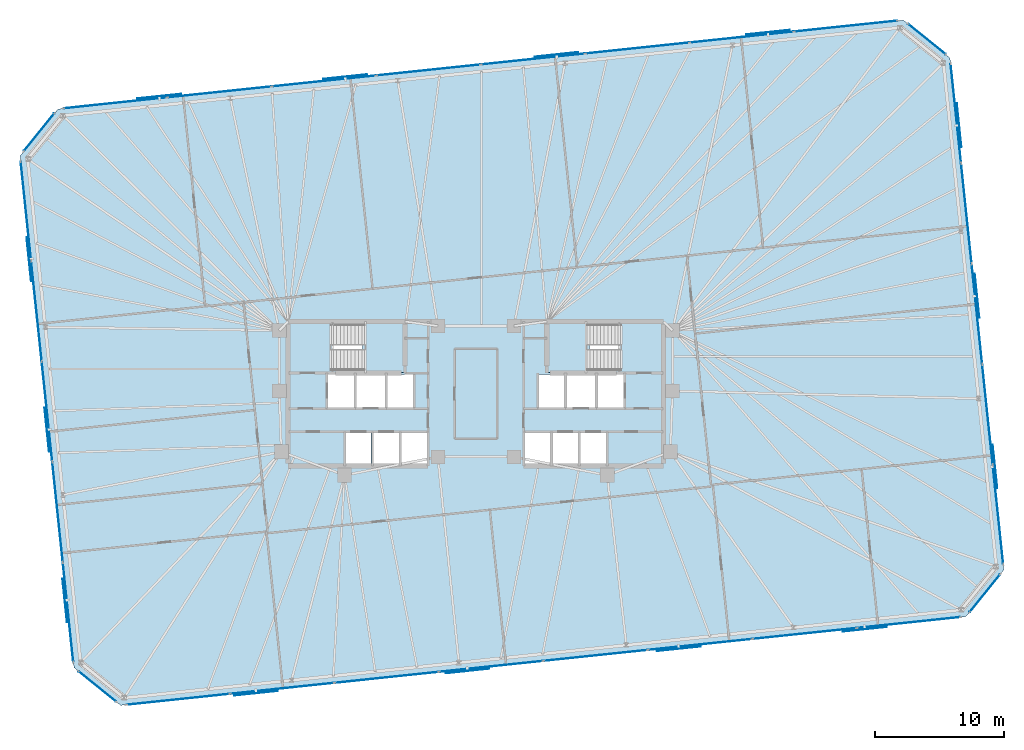
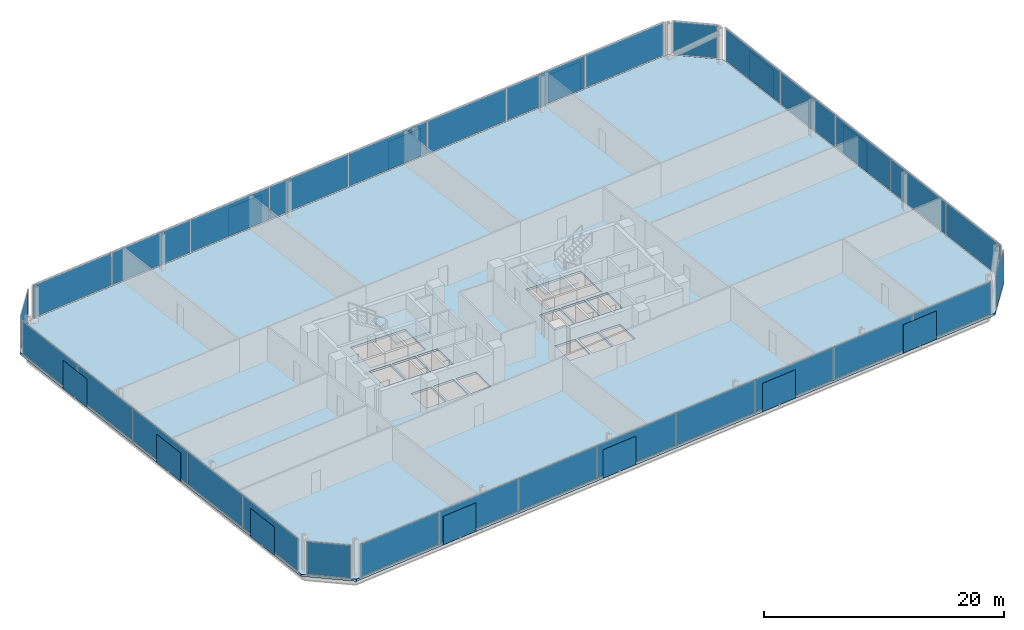
# One storey, part 13 of 18: 44 plates, 3 slabs, 10 elements without a shape of their own.
"""IFC4 building model written with IfcOpenShell, lengths in metres."""

from ifc_helpers import new_model, si_unit, direction, frame, origin, origin_2d, place, context, subcontext, project, spatial, polyline, rectangle, outline, extrude, material, layer, layer_set, type_object, element, aggregate, save


model = new_model("IFC4")

# Units and contexts
model_context = context("Model", 3, precision=1e-05, world=origin(), true_north=direction((0.0, 1.0)))
body_context = subcontext(model_context, "Body", "Model", "MODEL_VIEW")
ifc_project = project(units=[si_unit("LENGTHUNIT", "METRE"), si_unit("AREAUNIT", "SQUARE_METRE"), si_unit("VOLUMEUNIT", "CUBIC_METRE"), si_unit("PLANEANGLEUNIT", "RADIAN"), si_unit("MASSUNIT", "GRAM", prefix="KILO")], contexts=[model_context])

# Site, building, storey
site_placement = place(None, origin())
site = spatial("IfcSite", under=ifc_project, at=site_placement, CompositionType="ELEMENT")
building_placement = place(site_placement, origin())
building = spatial("IfcBuilding", under=site, at=building_placement, Name="Menara Jurai Vektor", CompositionType="ELEMENT")
storey_placement = place(building_placement, frame((0.0, 0.0, 94.800048828125)))
storey = spatial("IfcBuildingStorey", under=building, at=storey_placement, Name="L23", CompositionType="ELEMENT", Elevation=94.800048828125)

# Curtain wall, plates
ifc_material_1 = material(Name="Anodised Pale Aluminium & Low-E Double Glazing", Category="aluminium")
curtain_wall_type = type_object("IfcCurtainWallType", Name="CW-BLK2", PredefinedType="NOTDEFINED", material=ifc_material_1)
curtain_wall_1_placement = place(storey_placement, origin())
curtain_wall_1 = element("IfcCurtainWall", 1, at=curtain_wall_1_placement, inside=storey, type_object=curtain_wall_type, Name="Unitised Curtain Wall L23 F01", PredefinedType="NOTDEFINED")
ifc_material_2 = material(Name="Low-E Solar-Control Double Glazed Unit", Category="glass")
ifc_layer_1 = layer(ifc_material_2, 0.033935546875)
ifc_layer_set_1 = layer_set([ifc_layer_1], Name="Low-E Solar-Control Double Glazed Unit")
plate_type_1 = type_object("IfcPlateType", Name="CW-BLK2-PNL", PredefinedType="CURTAIN_PANEL", material=ifc_layer_set_1)
plate_1_placement = place(storey_placement, frame((-23.090087890625, -23.69921875, 0.090087890625), z_axis=(0.0, 0.0, 1.0), x_axis=(0.994521877325, 0.104528634935, 0.0)))
plate_1 = element("IfcPlate", 2, at=plate_1_placement, type_object=plate_type_1, Name="CW-02 panel 1.1", PredefinedType="CURTAIN_PANEL", context=body_context, shape_type="SweptSolid", body=[
    extrude(rectangle(XDim=8.007568359375, YDim=0.033935546875, at=origin_2d()), origin(), (0.0, 0.0, 1.0), 3.294921875),
])
plate_2_placement = place(storey_placement, frame((-15.014404296875, -22.850341796875, 0.090087890625), z_axis=(0.0, 0.0, 1.0), x_axis=(0.994521877325, 0.104528634935, 0.0)))
plate_2 = element("IfcPlate", 3, at=plate_2_placement, type_object=plate_type_1, Name="CW-02 panel 2.1", PredefinedType="CURTAIN_PANEL", context=body_context, shape_type="SweptSolid", body=[
    extrude(rectangle(XDim=8.052490234375, YDim=0.033935546875, at=origin_2d()), origin(), (0.0, 0.0, 1.0), 3.294921875),
])
plate_3_placement = place(storey_placement, frame((-6.91650390625, -21.999267578125, 0.090087890625), z_axis=(0.0, 0.0, 1.0), x_axis=(0.994521877325, 0.104528634935, 0.0)))
plate_3 = element("IfcPlate", 4, at=plate_3_placement, type_object=plate_type_1, Name="CW-02 panel 3.1", PredefinedType="CURTAIN_PANEL", context=body_context, shape_type="SweptSolid", body=[
    extrude(rectangle(XDim=8.052490234375, YDim=0.033935546875, at=origin_2d()), origin(), (0.0, 0.0, 1.0), 3.294921875),
])
plate_4_placement = place(storey_placement, frame((1.181396484375, -21.148193359375, 0.090087890625), z_axis=(0.0, 0.0, 1.0), x_axis=(0.994521877325, 0.104528634935, 0.0)))
plate_4 = element("IfcPlate", 5, at=plate_4_placement, type_object=plate_type_1, Name="CW-02 panel 4.1", PredefinedType="CURTAIN_PANEL", context=body_context, shape_type="SweptSolid", body=[
    extrude(rectangle(XDim=8.052490234375, YDim=0.033935546875, at=origin_2d()), origin(), (0.0, 0.0, 1.0), 3.294921875),
])
plate_5_placement = place(storey_placement, frame((9.279296875, -20.297119140625, 0.090087890625), z_axis=(0.0, 0.0, 1.0), x_axis=(0.994521877325, 0.104528634935, 0.0)))
plate_5 = element("IfcPlate", 6, at=plate_5_placement, type_object=plate_type_1, Name="CW-02 panel 5.1", PredefinedType="CURTAIN_PANEL", context=body_context, shape_type="SweptSolid", body=[
    extrude(rectangle(XDim=8.052490234375, YDim=0.033935546875, at=origin_2d()), origin(), (0.0, 0.0, 1.0), 3.294921875),
])
plate_6_placement = place(storey_placement, frame((17.377197265625, -19.44580078125, 0.090087890625), z_axis=(0.0, 0.0, 1.0), x_axis=(0.994521877325, 0.104528634935, 0.0)))
plate_6 = element("IfcPlate", 7, at=plate_6_placement, type_object=plate_type_1, Name="CW-02 panel 6.1", PredefinedType="CURTAIN_PANEL", context=body_context, shape_type="SweptSolid", body=[
    extrude(rectangle(XDim=8.052490234375, YDim=0.033935546875, at=origin_2d()), origin(), (0.0, 0.0, 1.0), 3.294921875),
])
plate_7_placement = place(storey_placement, frame((25.47509765625, -18.5947265625, 0.090087890625), z_axis=(0.0, 0.0, 1.0), x_axis=(0.994521877325, 0.104528634935, 0.0)))
plate_7 = element("IfcPlate", 8, at=plate_7_placement, type_object=plate_type_1, Name="CW-02 panel 7.1", PredefinedType="CURTAIN_PANEL", context=body_context, shape_type="SweptSolid", body=[
    extrude(rectangle(XDim=8.052490234375, YDim=0.033935546875, at=origin_2d()), origin(), (0.0, 0.0, 1.0), 3.294921875),
])
plate_8_placement = place(storey_placement, frame((33.550537109375, -17.74609375, 0.090087890625), z_axis=(0.0, 0.0, 1.0), x_axis=(0.994521877325, 0.104528634935, 0.0)))
plate_8 = element("IfcPlate", 9, at=plate_8_placement, type_object=plate_type_1, Name="CW-02 panel 8.1", PredefinedType="CURTAIN_PANEL", context=body_context, shape_type="SweptSolid", body=[
    extrude(rectangle(XDim=8.007568359375, YDim=0.033935546875, at=origin_2d()), origin(), (0.0, 0.0, 1.0), 3.294921875),
])
aggregate(curtain_wall_1, [plate_1, plate_2, plate_3, plate_4, plate_5, plate_6, plate_7, plate_8])

curtain_wall_2_placement = place(storey_placement, origin())
curtain_wall_2 = element("IfcCurtainWall", 10, at=curtain_wall_2_placement, inside=storey, type_object=curtain_wall_type, Name="Unitised Curtain Wall L23 F03", PredefinedType="NOTDEFINED")
plate_9_placement = place(storey_placement, frame((40.485595703125, -9.358642578125, 0.090087890625), z_axis=(0.0, 0.0, 1.0), x_axis=(-0.104529576902, 0.99452177832, 0.0)))
plate_9 = element("IfcPlate", 11, at=plate_9_placement, type_object=plate_type_1, Name="CW-02 panel 1.1", PredefinedType="CURTAIN_PANEL", context=body_context, shape_type="SweptSolid", body=[
    extrude(rectangle(XDim=7.693115234375, YDim=0.033935546875, at=origin_2d()), origin(), (0.0, 0.0, 1.0), 3.294921875),
])
plate_10_placement = place(storey_placement, frame((39.669677734375, -1.595947265625, 0.090087890625), z_axis=(0.0, 0.0, 1.0), x_axis=(-0.104529576902, 0.99452177832, 0.0)))
plate_10 = element("IfcPlate", 12, at=plate_10_placement, type_object=plate_type_1, Name="CW-02 panel 2.1", PredefinedType="CURTAIN_PANEL", context=body_context, shape_type="SweptSolid", body=[
    extrude(rectangle(XDim=7.738037109375, YDim=0.033935546875, at=origin_2d()), origin(), (0.0, 0.0, 1.0), 3.294921875),
])
plate_11_placement = place(storey_placement, frame((38.8515625, 6.189208984375, 0.090087890625), z_axis=(0.0, 0.0, 1.0), x_axis=(-0.104529576902, 0.99452177832, 0.0)))
plate_11 = element("IfcPlate", 13, at=plate_11_placement, type_object=plate_type_1, Name="CW-02 panel 3.1", PredefinedType="CURTAIN_PANEL", context=body_context, shape_type="SweptSolid", body=[
    extrude(rectangle(XDim=7.738037109375, YDim=0.033935546875, at=origin_2d()), origin(), (0.0, 0.0, 1.0), 3.294921875),
])
plate_12_placement = place(storey_placement, frame((38.033203125, 13.974365234375, 0.090087890625), z_axis=(0.0, 0.0, 1.0), x_axis=(-0.104529576902, 0.99452177832, 0.0)))
plate_12 = element("IfcPlate", 14, at=plate_12_placement, type_object=plate_type_1, Name="CW-02 panel 4.1", PredefinedType="CURTAIN_PANEL", context=body_context, shape_type="SweptSolid", body=[
    extrude(rectangle(XDim=7.738037109375, YDim=0.033935546875, at=origin_2d()), origin(), (0.0, 0.0, 1.0), 3.294921875),
])
plate_13_placement = place(storey_placement, frame((37.21728515625, 21.737060546875, 0.090087890625), z_axis=(0.0, 0.0, 1.0), x_axis=(-0.104529576902, 0.99452177832, 0.0)))
plate_13 = element("IfcPlate", 15, at=plate_13_placement, type_object=plate_type_1, Name="CW-02 panel 5.1", PredefinedType="CURTAIN_PANEL", context=body_context, shape_type="SweptSolid", body=[
    extrude(rectangle(XDim=7.693115234375, YDim=0.033935546875, at=origin_2d()), origin(), (0.0, 0.0, 1.0), 3.294921875),
])
aggregate(curtain_wall_2, [plate_9, plate_10, plate_11, plate_12, plate_13])

curtain_wall_3_placement = place(storey_placement, origin())
curtain_wall_3 = element("IfcCurtainWall", 16, at=curtain_wall_3_placement, inside=storey, type_object=curtain_wall_type, Name="Unitised Curtain Wall L23 F05", PredefinedType="NOTDEFINED")
plate_14_placement = place(storey_placement, frame((28.68994140625, 28.499267578125, 0.090087890625), z_axis=(0.0, 0.0, 1.0), x_axis=(-0.994521877325, -0.104528634935, 0.0)))
plate_14 = element("IfcPlate", 17, at=plate_14_placement, type_object=plate_type_1, Name="CW-02 panel 1.1", PredefinedType="CURTAIN_PANEL", context=body_context, shape_type="SweptSolid", body=[
    extrude(rectangle(XDim=8.007568359375, YDim=0.033935546875, at=origin_2d()), origin(), (0.0, 0.0, 1.0), 3.294921875),
])
plate_15_placement = place(storey_placement, frame((20.614501953125, 27.650390625, 0.090087890625), z_axis=(0.0, 0.0, 1.0), x_axis=(-0.994521877325, -0.104528634935, 0.0)))
plate_15 = element("IfcPlate", 18, at=plate_15_placement, type_object=plate_type_1, Name="CW-02 panel 2.1", PredefinedType="CURTAIN_PANEL", context=body_context, shape_type="SweptSolid", body=[
    extrude(rectangle(XDim=8.052490234375, YDim=0.033935546875, at=origin_2d()), origin(), (0.0, 0.0, 1.0), 3.294921875),
])
plate_16_placement = place(storey_placement, frame((12.5166015625, 26.79931640625, 0.090087890625), z_axis=(0.0, 0.0, 1.0), x_axis=(-0.994521877325, -0.104528634935, 0.0)))
plate_16 = element("IfcPlate", 19, at=plate_16_placement, type_object=plate_type_1, Name="CW-02 panel 3.1", PredefinedType="CURTAIN_PANEL", context=body_context, shape_type="SweptSolid", body=[
    extrude(rectangle(XDim=8.052490234375, YDim=0.033935546875, at=origin_2d()), origin(), (0.0, 0.0, 1.0), 3.294921875),
])
plate_17_placement = place(storey_placement, frame((4.418701171875, 25.9482421875, 0.090087890625), z_axis=(0.0, 0.0, 1.0), x_axis=(-0.994521877325, -0.104528634935, 0.0)))
plate_17 = element("IfcPlate", 20, at=plate_17_placement, type_object=plate_type_1, Name="CW-02 panel 4.1", PredefinedType="CURTAIN_PANEL", context=body_context, shape_type="SweptSolid", body=[
    extrude(rectangle(XDim=8.052490234375, YDim=0.033935546875, at=origin_2d()), origin(), (0.0, 0.0, 1.0), 3.294921875),
])
plate_18_placement = place(storey_placement, frame((-3.67919921875, 25.096923828125, 0.090087890625), z_axis=(0.0, 0.0, 1.0), x_axis=(-0.994521877325, -0.104528634935, 0.0)))
plate_18 = element("IfcPlate", 21, at=plate_18_placement, type_object=plate_type_1, Name="CW-02 panel 5.1", PredefinedType="CURTAIN_PANEL", context=body_context, shape_type="SweptSolid", body=[
    extrude(rectangle(XDim=8.052490234375, YDim=0.033935546875, at=origin_2d()), origin(), (0.0, 0.0, 1.0), 3.294921875),
])
plate_19_placement = place(storey_placement, frame((-11.777099609375, 24.245849609375, 0.090087890625), z_axis=(0.0, 0.0, 1.0), x_axis=(-0.994521877325, -0.104528634935, 0.0)))
plate_19 = element("IfcPlate", 22, at=plate_19_placement, type_object=plate_type_1, Name="CW-02 panel 6.1", PredefinedType="CURTAIN_PANEL", context=body_context, shape_type="SweptSolid", body=[
    extrude(rectangle(XDim=8.052490234375, YDim=0.033935546875, at=origin_2d()), origin(), (0.0, 0.0, 1.0), 3.294921875),
])
plate_20_placement = place(storey_placement, frame((-19.875, 23.394775390625, 0.090087890625), z_axis=(0.0, 0.0, 1.0), x_axis=(-0.994521877325, -0.104528634935, 0.0)))
plate_20 = element("IfcPlate", 23, at=plate_20_placement, type_object=plate_type_1, Name="CW-02 panel 7.1", PredefinedType="CURTAIN_PANEL", context=body_context, shape_type="SweptSolid", body=[
    extrude(rectangle(XDim=8.052490234375, YDim=0.033935546875, at=origin_2d()), origin(), (0.0, 0.0, 1.0), 3.294921875),
])
plate_21_placement = place(storey_placement, frame((-27.95068359375, 22.5458984375, 0.090087890625), z_axis=(0.0, 0.0, 1.0), x_axis=(-0.994521877325, -0.104528634935, 0.0)))
plate_21 = element("IfcPlate", 24, at=plate_21_placement, type_object=plate_type_1, Name="CW-02 panel 8.1", PredefinedType="CURTAIN_PANEL", context=body_context, shape_type="SweptSolid", body=[
    extrude(rectangle(XDim=8.007568359375, YDim=0.033935546875, at=origin_2d()), origin(), (0.0, 0.0, 1.0), 3.294921875),
])
aggregate(curtain_wall_3, [plate_14, plate_15, plate_16, plate_17, plate_18, plate_19, plate_20, plate_21])

curtain_wall_4_placement = place(storey_placement, origin())
curtain_wall_4 = element("IfcCurtainWall", 25, at=curtain_wall_4_placement, inside=storey, type_object=curtain_wall_type, Name="Unitised Curtain Wall L23 F07", PredefinedType="NOTDEFINED")
plate_22_placement = place(storey_placement, frame((-34.885498046875, 14.15869140625, 0.090087890625), z_axis=(0.0, 0.0, 1.0), x_axis=(0.104529576902, -0.99452177832, 0.0)))
plate_22 = element("IfcPlate", 26, at=plate_22_placement, type_object=plate_type_1, Name="CW-02 panel 1.1", PredefinedType="CURTAIN_PANEL", context=body_context, shape_type="SweptSolid", body=[
    extrude(rectangle(XDim=7.693115234375, YDim=0.033935546875, at=origin_2d()), origin(), (0.0, 0.0, 1.0), 3.294921875),
])
plate_23_placement = place(storey_placement, frame((-34.06982421875, 6.39599609375, 0.090087890625), z_axis=(0.0, 0.0, 1.0), x_axis=(0.104529576902, -0.99452177832, 0.0)))
plate_23 = element("IfcPlate", 27, at=plate_23_placement, type_object=plate_type_1, Name="CW-02 panel 2.1", PredefinedType="CURTAIN_PANEL", context=body_context, shape_type="SweptSolid", body=[
    extrude(rectangle(XDim=7.738037109375, YDim=0.033935546875, at=origin_2d()), origin(), (0.0, 0.0, 1.0), 3.294921875),
])
plate_24_placement = place(storey_placement, frame((-33.25146484375, -1.38916015625, 0.090087890625), z_axis=(0.0, 0.0, 1.0), x_axis=(0.104529576902, -0.99452177832, 0.0)))
plate_24 = element("IfcPlate", 28, at=plate_24_placement, type_object=plate_type_1, Name="CW-02 panel 3.1", PredefinedType="CURTAIN_PANEL", context=body_context, shape_type="SweptSolid", body=[
    extrude(rectangle(XDim=7.738037109375, YDim=0.033935546875, at=origin_2d()), origin(), (0.0, 0.0, 1.0), 3.294921875),
])
plate_25_placement = place(storey_placement, frame((-32.43310546875, -9.17431640625, 0.090087890625), z_axis=(0.0, 0.0, 1.0), x_axis=(0.104529576902, -0.99452177832, 0.0)))
plate_25 = element("IfcPlate", 29, at=plate_25_placement, type_object=plate_type_1, Name="CW-02 panel 4.1", PredefinedType="CURTAIN_PANEL", context=body_context, shape_type="SweptSolid", body=[
    extrude(rectangle(XDim=7.738037109375, YDim=0.033935546875, at=origin_2d()), origin(), (0.0, 0.0, 1.0), 3.294921875),
])
plate_26_placement = place(storey_placement, frame((-31.6171875, -16.93701171875, 0.090087890625), z_axis=(0.0, 0.0, 1.0), x_axis=(0.104529576902, -0.99452177832, 0.0)))
plate_26 = element("IfcPlate", 30, at=plate_26_placement, type_object=plate_type_1, Name="CW-02 panel 5.1", PredefinedType="CURTAIN_PANEL", context=body_context, shape_type="SweptSolid", body=[
    extrude(rectangle(XDim=7.693115234375, YDim=0.033935546875, at=origin_2d()), origin(), (0.0, 0.0, 1.0), 3.294921875),
])
aggregate(curtain_wall_4, [plate_22, plate_23, plate_24, plate_25, plate_26])

# Curtain wall, plate
curtain_wall_5_placement = place(storey_placement, origin())
curtain_wall_5 = element("IfcCurtainWall", 31, at=curtain_wall_5_placement, inside=storey, type_object=curtain_wall_type, Name="Unitised Curtain Wall L23 F02", PredefinedType="NOTDEFINED")
ifc_material_3 = material(Name="Insulated Pale Aluminium Spandrel Panel", Category="aluminium")
ifc_layer_2 = layer(ifc_material_3, 0.06005859375)
ifc_layer_set_2 = layer_set([ifc_layer_2], Name="Insulated Pale Aluminium Spandrel Panel")
plate_type_2 = type_object("IfcPlateType", Name="CW-PNL-SP", PredefinedType="CURTAIN_PANEL", material=ifc_layer_set_2)
plate_27_placement = place(storey_placement, frame((39.46826171875, -15.465087890625, 0.090087890625), z_axis=(0.0, 0.0, 1.0), x_axis=(0.62934106172, 0.777129222223, 0.0)))
plate_27 = element("IfcPlate", 32, at=plate_27_placement, type_object=plate_type_2, Name="CW-02 panel 1.1", PredefinedType="CURTAIN_PANEL", context=body_context, shape_type="SweptSolid", body=[
    extrude(rectangle(XDim=3.72705078125, YDim=0.06005859375, at=origin_2d()), origin(), (0.0, 0.0, 1.0), 3.294921875),
])
aggregate(curtain_wall_5, [plate_27])

curtain_wall_6_placement = place(storey_placement, origin())
curtain_wall_6 = element("IfcCurtainWall", 33, at=curtain_wall_6_placement, inside=storey, type_object=curtain_wall_type, Name="Unitised Curtain Wall L23 F04", PredefinedType="NOTDEFINED")
plate_28_placement = place(storey_placement, frame((34.95263671875, 27.498291015625, 0.090087890625), z_axis=(0.0, 0.0, 1.0), x_axis=(-0.777151877437, 0.629313085353, 0.0)))
plate_28 = element("IfcPlate", 34, at=plate_28_placement, type_object=plate_type_2, Name="CW-02 panel 1.1", PredefinedType="CURTAIN_PANEL", context=body_context, shape_type="SweptSolid", body=[
    extrude(rectangle(XDim=3.72705078125, YDim=0.06005859375, at=origin_2d()), origin(), (0.0, 0.0, 1.0), 3.294921875),
])
aggregate(curtain_wall_6, [plate_28])

curtain_wall_7_placement = place(storey_placement, origin())
curtain_wall_7 = element("IfcCurtainWall", 35, at=curtain_wall_7_placement, inside=storey, type_object=curtain_wall_type, Name="Unitised Curtain Wall L23 F06", PredefinedType="NOTDEFINED")
plate_29_placement = place(storey_placement, frame((-33.868408203125, 20.264892578125, 0.090087890625), z_axis=(0.0, 0.0, 1.0), x_axis=(-0.62934106172, -0.777129222223, 0.0)))
plate_29 = element("IfcPlate", 36, at=plate_29_placement, type_object=plate_type_2, Name="CW-02 panel 1.1", PredefinedType="CURTAIN_PANEL", context=body_context, shape_type="SweptSolid", body=[
    extrude(rectangle(XDim=3.72705078125, YDim=0.06005859375, at=origin_2d()), origin(), (0.0, 0.0, 1.0), 3.294921875),
])
aggregate(curtain_wall_7, [plate_29])

curtain_wall_8_placement = place(storey_placement, origin())
curtain_wall_8 = element("IfcCurtainWall", 37, at=curtain_wall_8_placement, inside=storey, type_object=curtain_wall_type, Name="Unitised Curtain Wall L23 F08", PredefinedType="NOTDEFINED")
plate_30_placement = place(storey_placement, frame((-29.3525390625, -22.6982421875, 0.090087890625), z_axis=(0.0, 0.0, 1.0), x_axis=(0.777151877437, -0.629313085353, 0.0)))
plate_30 = element("IfcPlate", 38, at=plate_30_placement, type_object=plate_type_2, Name="CW-02 panel 1.1", PredefinedType="CURTAIN_PANEL", context=body_context, shape_type="SweptSolid", body=[
    extrude(rectangle(XDim=3.72705078125, YDim=0.06005859375, at=origin_2d()), origin(), (0.0, 0.0, 1.0), 3.294921875),
])
aggregate(curtain_wall_8, [plate_30])

# Plates
ifc_material_4 = material(Name="Anodised Pale Aluminium Perforated Screen", Category="aluminium")
ifc_layer_3 = layer(ifc_material_4, 0.02392578125)
ifc_layer_set_3 = layer_set([ifc_layer_3], Name="Anodised Pale Aluminium Perforated Screen")
plate_type_3 = type_object("IfcPlateType", Name="ENV-PLT-SCREEN", PredefinedType="USERDEFINED", material=ifc_layer_set_3)
for number, where, z_axis, x_axis, name in (
    (39, (-17.0361328125, -23.223876953125, -0.050048828125), (0.0, 0.0, 1.0), (0.994521895368, 0.104528463268, 0.0), "Perforated Pale-Metal Solar Screen L23-S01"),
    (40, (-0.651611328125, -21.501708984375, -0.050048828125), (0.0, 0.0, 1.0), (0.994521895368, 0.104528463268, 0.0), "Perforated Pale-Metal Solar Screen L23-S02"),
    (41, (15.7333984375, -19.779541015625, -0.050048828125), (0.0, 0.0, 1.0), (0.994521895368, 0.104528463268, 0.0), "Perforated Pale-Metal Solar Screen L23-S03"),
    (42, (30.15185546875, -18.26416015625, -0.050048828125), (0.0, 0.0, 1.0), (0.994521895368, 0.104528463268, 0.0), "Perforated Pale-Metal Solar Screen L23-S04"),
    (43, (40.2548828125, -5.63232421875, -0.050048828125), (0.0, 0.0, 1.0), (-0.104528463268, 0.994521895368, 0.0), "Perforated Pale-Metal Solar Screen L23-S05"),
    (44, (38.864501953125, 7.5947265625, -0.050048828125), (0.0, 0.0, 1.0), (-0.104528463268, 0.994521895368, 0.0), "Perforated Pale-Metal Solar Screen L23-S06"),
    (45, (37.474365234375, 20.822021484375, -0.050048828125), (0.0, 0.0, 1.0), (-0.104528463268, 0.994521895368, 0.0), "Perforated Pale-Metal Solar Screen L23-S07"),
    (46, (22.63623046875, 28.023681640625, -0.050048828125), (0.0, 0.0, 1.0), (-0.994521895368, -0.104528463268, 0.0), "Perforated Pale-Metal Solar Screen L23-S08"),
    (47, (6.25146484375, 26.3017578125, -0.050048828125), (0.0, 0.0, 1.0), (-0.994521895368, -0.104528463268, 0.0), "Perforated Pale-Metal Solar Screen L23-S09"),
    (48, (-10.13330078125, 24.57958984375, -0.050048828125), (0.0, 0.0, 1.0), (-0.994521895368, -0.104528463268, 0.0), "Perforated Pale-Metal Solar Screen L23-S10"),
    (49, (-24.5517578125, 23.064208984375, -0.050048828125), (0.0, 0.0, 1.0), (-0.994521895368, -0.104528463268, 0.0), "Perforated Pale-Metal Solar Screen L23-S11"),
    (50, (-34.65478515625, 10.432373046875, -0.050048828125), (0.0, 0.0, 1.0), (0.104528463268, -0.994521895368, 0.0), "Perforated Pale-Metal Solar Screen L23-S12"),
    (51, (-33.2646484375, -2.794677734375, -0.050048828125), (0.0, 0.0, 1.0), (0.104528463268, -0.994521895368, 0.0), "Perforated Pale-Metal Solar Screen L23-S13"),
    (52, (-31.87451171875, -16.02197265625, -0.050048828125), (0.0, 0.0, 1.0), (0.104528463268, -0.994521895368, 0.0), "Perforated Pale-Metal Solar Screen L23-S14"),
):
    element("IfcPlate", number, at=place(storey_placement, frame(where, z_axis=z_axis, x_axis=x_axis)), inside=storey, type_object=plate_type_3, Name=name, ObjectType="SCREEN", PredefinedType="USERDEFINED", context=body_context, shape_type="SweptSolid", body=[
        extrude(rectangle(XDim=3.39990234375, YDim=0.02392578125, at=origin_2d()), origin(), (0.0, 0.0, 1.0), 2.89990234375),
    ])

# Stair, slab
ifc_material_5 = material(Name="Concrete C40/50", Category="concrete")
stair_type = type_object("IfcStairType", Name="STAIR-DOGLEG-1500", PredefinedType="HALF_TURN_STAIR", material=ifc_material_5)
stair_1_placement = place(storey_placement, origin())
stair_1 = element("IfcStair", 53, at=stair_1_placement, inside=storey, type_object=stair_type, Name="Protected Exit Stair ST1 L23", PredefinedType="HALF_TURN_STAIR")
ifc_layer_4 = layer(ifc_material_5, 0.199951171875)
ifc_layer_set_4 = layer_set([ifc_layer_4], Name="Concrete C40/50")
slab_type_1 = type_object("IfcSlabType", Name="STAIR-LANDING-200", PredefinedType="LANDING", material=ifc_layer_set_4)
slab_1_placement = place(storey_placement, frame((0.0, 0.0, 1.64990234375)))
slab_1 = element("IfcSlab", 54, at=slab_1_placement, type_object=slab_type_1, Name="ST1 landing 1", PredefinedType="LANDING", context=body_context, shape_type="SweptSolid", body=[
    extrude(outline(polyline([(-8.800048828125, 1.64990234375), (-5.550048828125, 1.64990234375), (-5.550048828125, 5.550048828125), (-8.800048828125, 5.550048828125), (-8.800048828125, 1.64990234375)])), origin(), (0.0, 0.0, 1.0), 0.199951171875),
])
aggregate(stair_1, [slab_1])

stair_2_placement = place(storey_placement, origin())
stair_2 = element("IfcStair", 55, at=stair_2_placement, inside=storey, type_object=stair_type, Name="Protected Exit Stair ST2 L23", PredefinedType="HALF_TURN_STAIR")
slab_2_placement = place(storey_placement, frame((0.0, 0.0, 1.64990234375)))
slab_2 = element("IfcSlab", 56, at=slab_2_placement, type_object=slab_type_1, Name="ST2 landing 1", PredefinedType="LANDING", context=body_context, shape_type="SweptSolid", body=[
    extrude(outline(polyline([(5.550048828125, 1.64990234375), (8.800048828125, 1.64990234375), (8.800048828125, 5.550048828125), (5.550048828125, 5.550048828125), (5.550048828125, 1.64990234375)])), origin(), (0.0, 0.0, 1.0), 0.199951171875),
])
aggregate(stair_2, [slab_2])

# Slab
ifc_layer_5 = layer(ifc_material_5, 0.22509765625)
ifc_layer_set_5 = layer_set([ifc_layer_5], Name="Concrete C40/50")
slab_type_2 = type_object("IfcSlabType", Name="STR-SLAB-TYP200", PredefinedType="FLOOR", material=ifc_layer_set_5)
slab_3_placement = place(storey_placement, frame((0.0, 0.0, -0.22509765625)))
element("IfcSlab", 57, at=slab_3_placement, inside=storey, type_object=slab_type_2, Name="Composite Floor Slab L23", PredefinedType="FLOOR", context=body_context, shape_type="SweptSolid", body=[
    extrude(outline(polyline([(-27.539306640625, -24.166748046875), (37.999755859375, -17.2783203125), (40.936767578125, -13.651611328125), (36.76611328125, 26.02978515625), (33.13916015625, 28.966796875), (-32.39990234375, 22.078369140625), (-35.3369140625, 18.45166015625), (-31.166015625, -21.22998046875), (-27.539306640625, -24.166748046875)]), holes=[polyline([(-11.10009765625, 1.89990234375), (-11.10009765625, 5.300048828125), (-5.800048828125, 5.300048828125), (-5.800048828125, 1.89990234375), (-11.10009765625, 1.89990234375)]), polyline([(5.800048828125, 1.89990234375), (5.800048828125, 5.300048828125), (11.10009765625, 5.300048828125), (11.10009765625, 1.89990234375), (5.800048828125, 1.89990234375)]), polyline([(-11.449951171875, -1.050048828125), (-11.449951171875, 1.5), (-9.449951171875, 1.5), (-9.449951171875, -1.050048828125), (-11.449951171875, -1.050048828125)]), polyline([(9.449951171875, -1.050048828125), (9.449951171875, 1.5), (11.449951171875, 1.5), (11.449951171875, -1.050048828125), (9.449951171875, -1.050048828125)]), polyline([(-5.760009765625, -5.5), (-5.760009765625, -3.050048828125), (-3.800048828125, -3.050048828125), (-3.800048828125, -5.5), (-5.760009765625, -5.5)]), polyline([(-6.85009765625, -1.050048828125), (-6.85009765625, 1.5), (-4.889892578125, 1.5), (-4.889892578125, -1.050048828125), (-6.85009765625, -1.050048828125)]), polyline([(3.800048828125, -5.5), (3.800048828125, -3.050048828125), (5.760009765625, -3.050048828125), (5.760009765625, -5.5), (3.800048828125, -5.5)]), polyline([(4.889892578125, -1.050048828125), (4.889892578125, 1.5), (6.85009765625, 1.5), (6.85009765625, -1.050048828125), (4.889892578125, -1.050048828125)]), polyline([(-10.080078125, -5.5), (-10.080078125, -3.050048828125), (-8.1201171875, -3.050048828125), (-8.1201171875, -5.5), (-10.080078125, -5.5)]), polyline([(-7.919921875, -5.5), (-7.919921875, -3.050048828125), (-5.9599609375, -3.050048828125), (-5.9599609375, -5.5), (-7.919921875, -5.5)]), polyline([(5.9599609375, -5.5), (5.9599609375, -3.050048828125), (7.919921875, -3.050048828125), (7.919921875, -5.5), (5.9599609375, -5.5)]), polyline([(8.1201171875, -5.5), (8.1201171875, -3.050048828125), (10.080078125, -3.050048828125), (10.080078125, -5.5), (8.1201171875, -5.5)]), polyline([(-9.25, -1.050048828125), (-9.25, 1.5), (-7.050048828125, 1.5), (-7.050048828125, -1.050048828125), (-9.25, -1.050048828125)]), polyline([(7.050048828125, -1.050048828125), (7.050048828125, 1.5), (9.25, 1.5), (9.25, -1.050048828125), (7.050048828125, -1.050048828125)])]), origin(), (0.0, 0.0, 1.0), 0.22509765625),
])

save(model, "model.ifc")
